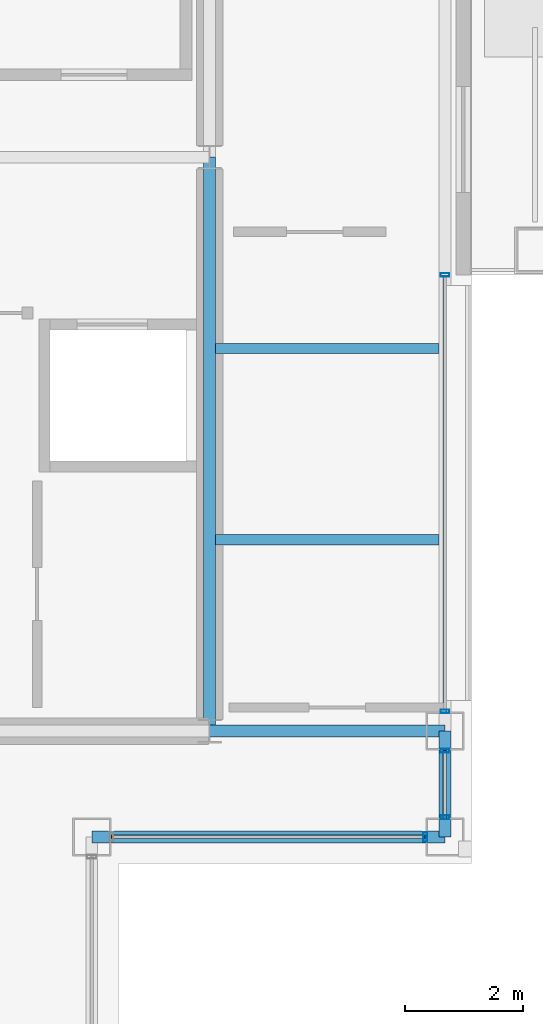
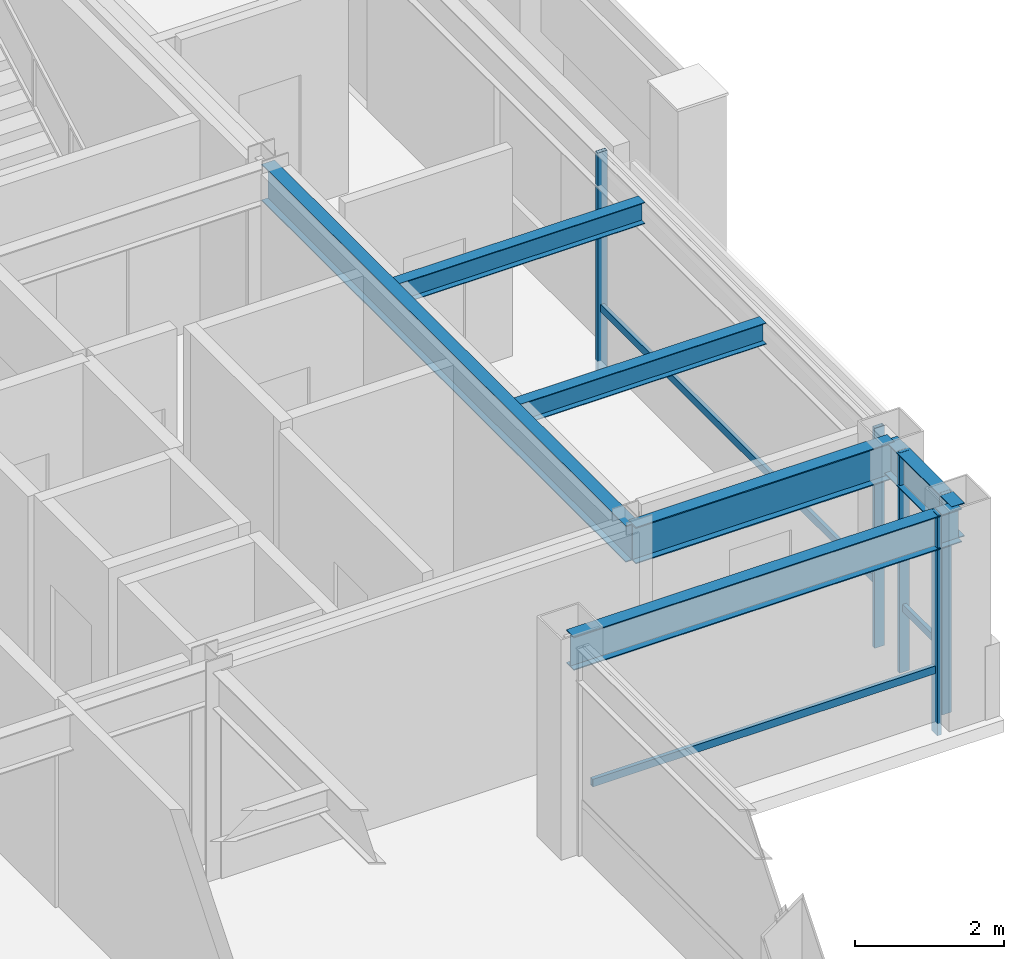
# One storey, part 16 of 30: 8 members, 6 beams, 3 elements without a shape of their own.
"""IFC4 building model written with IfcOpenShell, lengths in metres."""

from ifc_helpers import new_model, si_unit, direction, frame, origin, origin_2d, place, context, subcontext, project, spatial, hollow_rectangle, i_section, extrude, material, layer, layer_set, material_profile, profile_set, type_object, element, aggregate, save


model = new_model("IFC4")

# Units and contexts
model_context = context("Model", 3, precision=1e-05, world=origin(), true_north=direction((0.0, 1.0)))
body_context = subcontext(model_context, "Body", "Model", "MODEL_VIEW")
ifc_project = project(units=[si_unit("LENGTHUNIT", "METRE"), si_unit("AREAUNIT", "SQUARE_METRE"), si_unit("VOLUMEUNIT", "CUBIC_METRE"), si_unit("PLANEANGLEUNIT", "RADIAN"), si_unit("MASSUNIT", "GRAM", prefix="KILO")], contexts=[model_context])

# Site, building, storey
site_placement = place(None, origin())
site = spatial("IfcSite", under=ifc_project, at=site_placement, CompositionType="ELEMENT")
building_placement = place(site_placement, origin())
building = spatial("IfcBuilding", under=site, at=building_placement, Name="Brelmoor Portico Tower", CompositionType="ELEMENT")
storey_placement = place(building_placement, frame((0.0, 0.0, 236.39990234375)))
storey = spatial("IfcBuildingStorey", under=building, at=storey_placement, Name="L62", CompositionType="ELEMENT", Elevation=236.39990234375)

# Beams
ifc_material_1 = material(Name="Steel Q355B", Category="steel")
ifc_material_profile_1 = material_profile(ifc_material_1, i_section(OverallWidth=0.175048828125, OverallDepth=0.35009765625, WebThickness=0.007080078125, FlangeThickness=0.010986328125, at=origin_2d()), Name="HN 350x175x7x11")
ifc_profile_set_1 = profile_set([ifc_material_profile_1], Name="Steel Q355B")
beam_type_1 = type_object("IfcBeamType", Name="BM-JS-350", PredefinedType="JOIST", material=ifc_profile_set_1)
for number, where, z_axis, x_axis, name in (
    (1, (14.64990234375, -6.5, 3.22509765625), (1.0, 0.0, 0.0), (0.0, 1.0, 0.0), "L62 Secondary Wing Joist JS-E11"),
    (2, (14.64990234375, -3.25, 3.22509765625), (1.0, 0.0, 0.0), (0.0, 1.0, 0.0), "L62 Secondary Wing Joist JS-E12"),
):
    element("IfcBeam", number, at=place(storey_placement, frame(where, z_axis=z_axis, x_axis=x_axis)), inside=storey, type_object=beam_type_1, Name=name, PredefinedType="JOIST", context=body_context, shape_type="SweptSolid", body=[
        extrude(i_section(OverallWidth=0.175048828125, OverallDepth=0.35009765625, WebThickness=0.007080078125, FlangeThickness=0.010986328125, at=origin_2d()), origin(), (0.0, 0.0, 1.0), 3.800048828125),
    ])
ifc_material_profile_2 = material_profile(ifc_material_1, i_section(OverallWidth=0.199951171875, OverallDepth=0.60009765625, WebThickness=0.010986328125, FlangeThickness=0.01708984375, at=origin_2d()), Name="HN 600x200x11x17")
ifc_profile_set_2 = profile_set([ifc_material_profile_2], Name="Steel Q355B")
beam_type_2 = type_object("IfcBeamType", Name="BM-PG-600", PredefinedType="BEAM", material=ifc_profile_set_2)
beam_1_placement = place(storey_placement, frame((14.550048828125, -9.75, 3.10009765625), z_axis=(0.0, 1.0, 0.0), x_axis=(-1.0, 0.0, 0.0)))
element("IfcBeam", 3, at=beam_1_placement, inside=storey, type_object=beam_type_2, Name="L62 Primary Floor Girder PG-09", PredefinedType="BEAM", context=body_context, shape_type="SweptSolid", body=[
    extrude(i_section(OverallWidth=0.199951171875, OverallDepth=0.60009765625, WebThickness=0.010986328125, FlangeThickness=0.01708984375, at=origin_2d()), origin(), (0.0, 0.0, 1.0), 9.75),
])
beam_2_placement = place(storey_placement, frame((14.550048828125, -9.75, 3.10009765625), z_axis=(1.0, 0.0, 0.0), x_axis=(0.0, 1.0, 0.0)))
element("IfcBeam", 4, at=beam_2_placement, inside=storey, type_object=beam_type_2, Name="L62 Primary Floor Girder PG-15", PredefinedType="BEAM", context=body_context, shape_type="SweptSolid", body=[
    extrude(i_section(OverallWidth=0.199951171875, OverallDepth=0.60009765625, WebThickness=0.010986328125, FlangeThickness=0.01708984375, at=origin_2d()), origin(), (0.0, 0.0, 1.0), 4.0),
])
ifc_material_profile_3 = material_profile(ifc_material_1, i_section(OverallWidth=0.199951171875, OverallDepth=0.550048828125, WebThickness=0.010009765625, FlangeThickness=0.01611328125, at=origin_2d()), Name="HN 550x200x10x16")
ifc_profile_set_3 = profile_set([ifc_material_profile_3], Name="Steel Q355B")
beam_type_3 = type_object("IfcBeamType", Name="BM-SP-550", PredefinedType="SPANDREL", material=ifc_profile_set_3)
beam_3_placement = place(storey_placement, frame((12.550048828125, -11.550048828125, 3.125), z_axis=(1.0, 0.0, 0.0), x_axis=(0.0, 1.0, 0.0)))
element("IfcBeam", 5, at=beam_3_placement, inside=storey, type_object=beam_type_3, Name="L62 Perimeter Spandrel Beam SP-05", PredefinedType="SPANDREL", context=body_context, shape_type="SweptSolid", body=[
    extrude(i_section(OverallWidth=0.199951171875, OverallDepth=0.550048828125, WebThickness=0.010009765625, FlangeThickness=0.01611328125, at=origin_2d()), origin(), (0.0, 0.0, 1.0), 6.0),
])
beam_4_placement = place(storey_placement, frame((18.550048828125, -11.550048828125, 3.125), z_axis=(0.0, 1.0, 0.0), x_axis=(-1.0, 0.0, 0.0)))
element("IfcBeam", 6, at=beam_4_placement, inside=storey, type_object=beam_type_3, Name="L62 Perimeter Spandrel Beam SP-18", PredefinedType="SPANDREL", context=body_context, shape_type="SweptSolid", body=[
    extrude(i_section(OverallWidth=0.199951171875, OverallDepth=0.550048828125, WebThickness=0.010009765625, FlangeThickness=0.01611328125, at=origin_2d()), origin(), (0.0, 0.0, 1.0), 1.800048828125),
])

# Curtain wall, members
ifc_material_2 = material(Name="Anodised Aluminium Alloy 6063-T6", Category="aluminium")
ifc_layer_1 = layer(ifc_material_2, 0.179931640625)
ifc_layer_set_1 = layer_set([ifc_layer_1], Name="Anodised Aluminium Alloy 6063-T6")
curtain_wall_type_1 = type_object("IfcCurtainWallType", Name="CW-TOWER-Z4", PredefinedType="NOTDEFINED", material=ifc_layer_set_1)
curtain_wall_1_placement = place(storey_placement, origin())
curtain_wall_1 = element("IfcCurtainWall", 7, at=curtain_wall_1_placement, inside=storey, type_object=curtain_wall_type_1, Name="L62 Curtain Wall CW-L62-4L-1", PredefinedType="NOTDEFINED")
ifc_material_profile_4 = material_profile(ifc_material_2, hollow_rectangle(XDim=0.06005859375, YDim=0.14990234375, WallThickness=0.00390625, at=origin_2d()), Name="ALU MULLION 60x150")
ifc_profile_set_4 = profile_set([ifc_material_profile_4], Name="Anodised Aluminium Alloy 6063-T6")
member_type_1 = type_object("IfcMemberType", Name="MB-CW-MULL-150", PredefinedType="MULLION", material=ifc_profile_set_4)
member_1_placement = place(storey_placement, frame((18.550048828125, -11.215087890625, -0.199951171875), z_axis=(0.0, 0.0, 1.0), x_axis=(0.0, 1.0, 0.0)))
member_1 = element("IfcMember", 8, at=member_1_placement, type_object=member_type_1, Name="CW-L62-4L-1 Mullion 00", PredefinedType="MULLION", context=body_context, shape_type="SweptSolid", body=[
    extrude(hollow_rectangle(XDim=0.06005859375, YDim=0.14990234375, WallThickness=0.00390625, at=origin_2d()), origin(), (0.0, 0.0, 1.0), 3.60009765625),
])
member_2_placement = place(storey_placement, frame((18.550048828125, -10.0849609375, -0.199951171875), z_axis=(0.0, 0.0, 1.0), x_axis=(0.0, 1.0, 0.0)))
member_2 = element("IfcMember", 9, at=member_2_placement, type_object=member_type_1, Name="CW-L62-4L-1 Mullion 01", PredefinedType="MULLION", context=body_context, shape_type="SweptSolid", body=[
    extrude(hollow_rectangle(XDim=0.06005859375, YDim=0.14990234375, WallThickness=0.00390625, at=origin_2d()), origin(), (0.0, 0.0, 1.0), 3.60009765625),
])

curtain_wall_2_placement = place(storey_placement, origin())
curtain_wall_2 = element("IfcCurtainWall", 10, at=curtain_wall_2_placement, inside=storey, type_object=curtain_wall_type_1, Name="L62 Curtain Wall CW-L62-4L-2", PredefinedType="NOTDEFINED")
member_3_placement = place(storey_placement, frame((18.550048828125, -9.4150390625, -0.199951171875), z_axis=(0.0, 0.0, 1.0), x_axis=(0.0, 1.0, 0.0)))
member_3 = element("IfcMember", 11, at=member_3_placement, type_object=member_type_1, Name="CW-L62-4L-2 Mullion 00", PredefinedType="MULLION", context=body_context, shape_type="SweptSolid", body=[
    extrude(hollow_rectangle(XDim=0.06005859375, YDim=0.14990234375, WallThickness=0.00390625, at=origin_2d()), origin(), (0.0, 0.0, 1.0), 3.60009765625),
])
member_4_placement = place(storey_placement, frame((18.550048828125, -2.0, -0.199951171875), z_axis=(0.0, 0.0, 1.0), x_axis=(0.0, 1.0, 0.0)))
member_4 = element("IfcMember", 12, at=member_4_placement, type_object=member_type_1, Name="CW-L62-4L-2 Mullion 01", PredefinedType="MULLION", context=body_context, shape_type="SweptSolid", body=[
    extrude(hollow_rectangle(XDim=0.06005859375, YDim=0.14990234375, WallThickness=0.00390625, at=origin_2d()), origin(), (0.0, 0.0, 1.0), 3.60009765625),
])

# Curtain wall, member
ifc_layer_2 = layer(ifc_material_2, 0.179931640625)
ifc_layer_set_2 = layer_set([ifc_layer_2], Name="Anodised Aluminium Alloy 6063-T6")
curtain_wall_type_2 = type_object("IfcCurtainWallType", Name="CW-NOTCH-CHAMFER", PredefinedType="NOTDEFINED", material=ifc_layer_set_2)
curtain_wall_3_placement = place(storey_placement, origin())
curtain_wall_3 = element("IfcCurtainWall", 13, at=curtain_wall_3_placement, inside=storey, type_object=curtain_wall_type_2, Name="L62 Curtain Wall CWN-L62-SEH", PredefinedType="NOTDEFINED")
ifc_material_profile_5 = material_profile(ifc_material_2, hollow_rectangle(XDim=0.06494140625, YDim=0.1650390625, WallThickness=0.00390625, at=origin_2d()), Name="ALU MULLION 65x165")
ifc_profile_set_5 = profile_set([ifc_material_profile_5], Name="Anodised Aluminium Alloy 6063-T6")
member_type_2 = type_object("IfcMemberType", Name="MB-CW-MULL-165", PredefinedType="MULLION", material=ifc_profile_set_5)
member_5_placement = place(storey_placement, frame((18.215087890625, -11.550048828125, -0.199951171875), z_axis=(0.0, 0.0, 1.0), x_axis=(1.0, 0.0, 0.0)))
member_5 = element("IfcMember", 14, at=member_5_placement, type_object=member_type_2, Name="CWN-L62-SEH Mullion 01", PredefinedType="MULLION", context=body_context, shape_type="SweptSolid", body=[
    extrude(hollow_rectangle(XDim=0.06494140625, YDim=0.1650390625, WallThickness=0.00390625, at=origin_2d()), origin(), (0.0, 0.0, 1.0), 3.60009765625),
])

# Member
ifc_material_profile_6 = material_profile(ifc_material_2, hollow_rectangle(XDim=0.06005859375, YDim=0.125, WallThickness=0.00341796875, at=origin_2d()), Name="ALU TRANSOM 60x125")
ifc_profile_set_6 = profile_set([ifc_material_profile_6], Name="Anodised Aluminium Alloy 6063-T6")
member_type_3 = type_object("IfcMemberType", Name="MB-CW-TRAN-125", PredefinedType="USERDEFINED", material=ifc_profile_set_6)
member_6_placement = place(storey_placement, frame((18.550048828125, -11.215087890625, 0.85009765625), z_axis=(0.0, 1.0, 0.0), x_axis=(-1.0, 0.0, 0.0)))
member_6 = element("IfcMember", 15, at=member_6_placement, type_object=member_type_3, Name="CW-L62-4L-1 Transom 1-00", ObjectType="TRANSOM", PredefinedType="USERDEFINED", context=body_context, shape_type="SweptSolid", body=[
    extrude(hollow_rectangle(XDim=0.06005859375, YDim=0.125, WallThickness=0.00341796875, at=origin_2d()), origin(), (0.0, 0.0, 1.0), 1.130126953125),
])

aggregate(curtain_wall_1, [member_1, member_2, member_6])

member_7_placement = place(storey_placement, frame((18.550048828125, -9.4150390625, 0.85009765625), z_axis=(0.0, 1.0, 0.0), x_axis=(-1.0, 0.0, 0.0)))
member_7 = element("IfcMember", 16, at=member_7_placement, type_object=member_type_3, Name="CW-L62-4L-2 Transom 1-00", ObjectType="TRANSOM", PredefinedType="USERDEFINED", context=body_context, shape_type="SweptSolid", body=[
    extrude(hollow_rectangle(XDim=0.06005859375, YDim=0.125, WallThickness=0.00341796875, at=origin_2d()), origin(), (0.0, 0.0, 1.0), 7.4150390625),
])

aggregate(curtain_wall_2, [member_3, member_4, member_7])

member_8_placement = place(storey_placement, frame((12.885009765625, -11.550048828125, 0.85009765625), z_axis=(1.0, 0.0, 0.0), x_axis=(0.0, 1.0, 0.0)))
member_8 = element("IfcMember", 17, at=member_8_placement, type_object=member_type_3, Name="CWN-L62-SEH Transom 1-00", ObjectType="TRANSOM", PredefinedType="USERDEFINED", context=body_context, shape_type="SweptSolid", body=[
    extrude(hollow_rectangle(XDim=0.06005859375, YDim=0.125, WallThickness=0.00341796875, at=origin_2d()), origin(), (0.0, 0.0, 1.0), 5.330078125),
])

aggregate(curtain_wall_3, [member_5, member_8])

save(model, "model.ifc")
